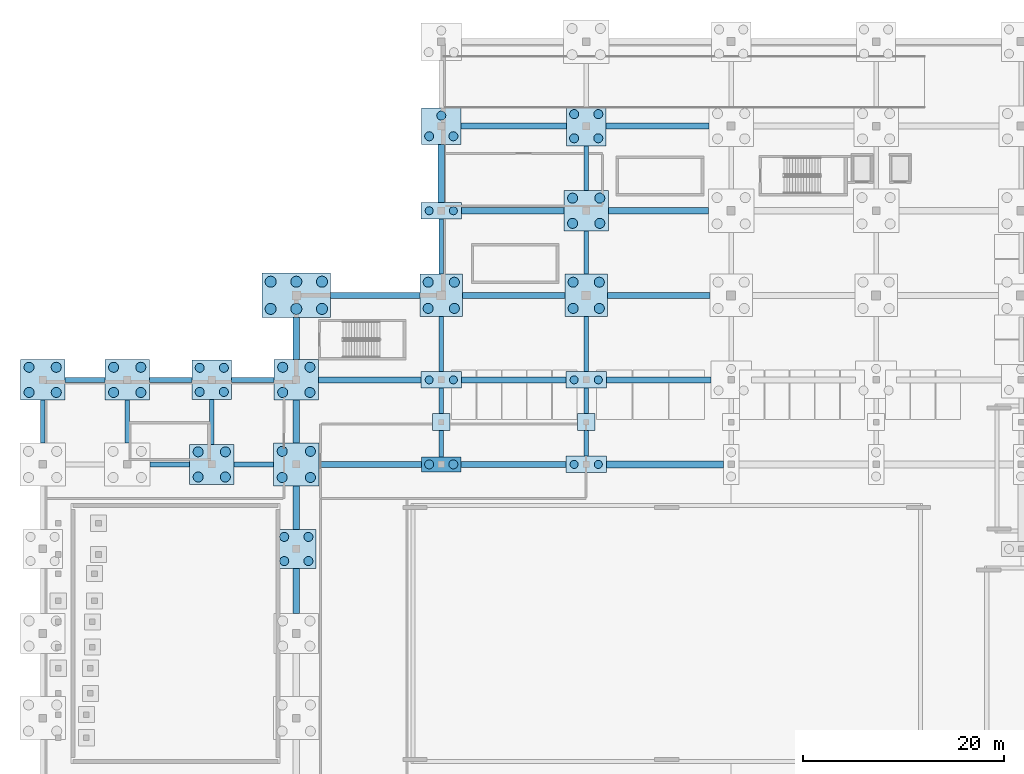
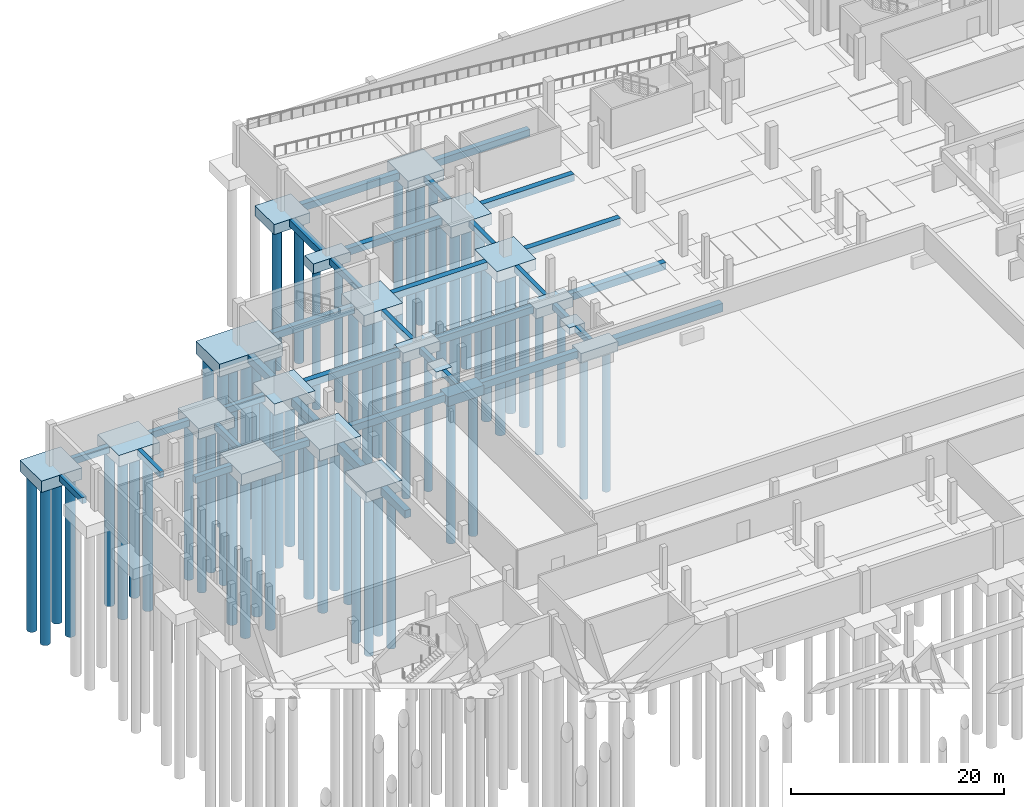
# One storey, part 4 of 26: 63 piles, 55 footings.
"""IFC4 building model written with IfcOpenShell, lengths in metres."""

from ifc_helpers import new_model, si_unit, direction, frame, origin, origin_2d, place, context, subcontext, project, spatial, rectangle, circle, extrude, material, material_profile, profile_set, type_object, element, save


model = new_model("IFC4")

# Units and contexts
model_context = context("Model", 3, precision=1e-05, world=origin(), true_north=direction((0.0, 1.0)))
body_context = subcontext(model_context, "Body", "Model", "MODEL_VIEW")
ifc_project = project(units=[si_unit("LENGTHUNIT", "METRE"), si_unit("AREAUNIT", "SQUARE_METRE"), si_unit("VOLUMEUNIT", "CUBIC_METRE"), si_unit("PLANEANGLEUNIT", "RADIAN"), si_unit("MASSUNIT", "GRAM", prefix="KILO"), si_unit("THERMODYNAMICTEMPERATUREUNIT", "KELVIN")], contexts=[model_context])

# Site, building, storey
site_placement = place(None, origin())
site = spatial("IfcSite", under=ifc_project, at=site_placement, CompositionType="ELEMENT")
building_placement = place(site_placement, origin())
building = spatial("IfcBuilding", under=site, at=building_placement, Name="Nduvali Passage Aquatics Centre", CompositionType="ELEMENT")
storey_placement = place(building_placement, frame((0.0, 0.0, -4.800048828125)))
storey = spatial("IfcBuildingStorey", under=building, at=storey_placement, Name="B01", CompositionType="ELEMENT", Elevation=-4.800048828125)

# Footings
ifc_material = material(Name="Concrete C40/50", Category="concrete")
footing_type_1 = type_object("IfcFootingType", Name="STR-GB-1", PredefinedType="FOOTING_BEAM", material=ifc_material)
footing_1_placement = place(storey_placement, frame((32.550048828125, 75.60009765625, -0.7998046875), z_axis=(0.0, 0.0, 1.0), x_axis=(1.0, 0.0, 0.0)))
element("IfcFooting", 1, at=footing_1_placement, inside=storey, type_object=footing_type_1, Name="Ground Beam X-0085", PredefinedType="FOOTING_BEAM", context=body_context, shape_type="SweptSolid", body=[
    extrude(rectangle(XDim=10.199951171875, YDim=0.60009765625, at=origin_2d()), origin(), (0.0, 0.0, 1.0), 0.800048828125),
])
footing_2_placement = place(storey_placement, frame((46.77490234375, 75.60009765625, -0.7998046875), z_axis=(0.0, 0.0, 1.0), x_axis=(1.0, 0.0, 0.0)))
element("IfcFooting", 2, at=footing_2_placement, inside=storey, type_object=footing_type_1, Name="Ground Beam X-0086", PredefinedType="FOOTING_BEAM", context=body_context, shape_type="SweptSolid", body=[
    extrude(rectangle(XDim=10.449951171875, YDim=0.60009765625, at=origin_2d()), origin(), (0.0, 0.0, 1.0), 0.800048828125),
])
footing_3_placement = place(storey_placement, frame((32.5, 84.0, -0.7998046875), z_axis=(0.0, 0.0, 1.0), x_axis=(1.0, 0.0, 0.0)))
element("IfcFooting", 3, at=footing_3_placement, inside=storey, type_object=footing_type_1, Name="Ground Beam X-0101", PredefinedType="FOOTING_BEAM", context=body_context, shape_type="SweptSolid", body=[
    extrude(rectangle(XDim=10.199951171875, YDim=0.60009765625, at=origin_2d()), origin(), (0.0, 0.0, 1.0), 0.800048828125),
])
footing_4_placement = place(storey_placement, frame((46.800048828125, 84.0, -0.7998046875), z_axis=(0.0, 0.0, 1.0), x_axis=(1.0, 0.0, 0.0)))
element("IfcFooting", 4, at=footing_4_placement, inside=storey, type_object=footing_type_1, Name="Ground Beam X-0102", PredefinedType="FOOTING_BEAM", context=body_context, shape_type="SweptSolid", body=[
    extrude(rectangle(XDim=10.39990234375, YDim=0.60009765625, at=origin_2d()), origin(), (0.0, 0.0, 1.0), 0.800048828125),
])
footing_5_placement = place(storey_placement, frame((61.1875, 84.0, -0.7998046875), z_axis=(0.0, 0.0, 1.0), x_axis=(1.0, 0.0, 0.0)))
element("IfcFooting", 5, at=footing_5_placement, inside=storey, type_object=footing_type_1, Name="Ground Beam X-0103", PredefinedType="FOOTING_BEAM", context=body_context, shape_type="SweptSolid", body=[
    extrude(rectangle(XDim=10.375, YDim=0.60009765625, at=origin_2d()), origin(), (0.0, 0.0, 1.0), 0.800048828125),
])
footing_6_placement = place(storey_placement, frame((33.050048828125, 92.39990234375, -0.7998046875), z_axis=(0.0, 0.0, 1.0), x_axis=(1.0, 0.0, 0.0)))
element("IfcFooting", 6, at=footing_6_placement, inside=storey, type_object=footing_type_1, Name="Ground Beam X-0114", PredefinedType="FOOTING_BEAM", context=body_context, shape_type="SweptSolid", body=[
    extrude(rectangle(XDim=8.89990234375, YDim=0.60009765625, at=origin_2d()), origin(), (0.0, 0.0, 1.0), 0.800048828125),
])
for number, where, z_axis, x_axis, name in (
    (7, (46.800048828125, 92.39990234375, -0.7998046875), (0.0, 0.0, 1.0), (1.0, 0.0, 0.0), "Ground Beam X-0115"),
    (8, (61.199951171875, 92.39990234375, -0.7998046875), (0.0, 0.0, 1.0), (1.0, 0.0, 0.0), "Ground Beam X-0116"),
    (9, (46.699951171875, 100.800048828125, -0.7998046875), (0.0, 0.0, 1.0), (1.0, 0.0, 0.0), "Ground Beam X-0126"),
):
    element("IfcFooting", number, at=place(storey_placement, frame(where, z_axis=z_axis, x_axis=x_axis)), inside=storey, type_object=footing_type_1, Name=name, PredefinedType="FOOTING_BEAM", context=body_context, shape_type="SweptSolid", body=[
        extrude(rectangle(XDim=10.199951171875, YDim=0.60009765625, at=origin_2d()), origin(), (0.0, 0.0, 1.0), 0.800048828125),
    ])
footing_7_placement = place(storey_placement, frame((61.175048828125, 100.800048828125, -0.7998046875), z_axis=(0.0, 0.0, 1.0), x_axis=(1.0, 0.0, 0.0)))
element("IfcFooting", 10, at=footing_7_placement, inside=storey, type_object=footing_type_1, Name="Ground Beam X-0127", PredefinedType="FOOTING_BEAM", context=body_context, shape_type="SweptSolid", body=[
    extrude(rectangle(XDim=9.949951171875, YDim=0.60009765625, at=origin_2d()), origin(), (0.0, 0.0, 1.0), 0.800048828125),
])
footing_8_placement = place(storey_placement, frame((46.800048828125, 109.199951171875, -0.7998046875), z_axis=(0.0, 0.0, 1.0), x_axis=(1.0, 0.0, 0.0)))
element("IfcFooting", 11, at=footing_8_placement, inside=storey, type_object=footing_type_1, Name="Ground Beam X-0133", PredefinedType="FOOTING_BEAM", context=body_context, shape_type="SweptSolid", body=[
    extrude(rectangle(XDim=10.5, YDim=0.60009765625, at=origin_2d()), origin(), (0.0, 0.0, 1.0), 0.800048828125),
])
footing_9_placement = place(storey_placement, frame((61.074951171875, 109.199951171875, -0.7998046875), z_axis=(0.0, 0.0, 1.0), x_axis=(1.0, 0.0, 0.0)))
element("IfcFooting", 12, at=footing_9_placement, inside=storey, type_object=footing_type_1, Name="Ground Beam X-0134", PredefinedType="FOOTING_BEAM", context=body_context, shape_type="SweptSolid", body=[
    extrude(rectangle(XDim=10.25, YDim=0.60009765625, at=origin_2d()), origin(), (0.0, 0.0, 1.0), 0.800048828125),
])
footing_10_placement = place(storey_placement, frame((39.60009765625, 104.512451171875, -0.7998046875), z_axis=(0.0, 0.0, 1.0), x_axis=(0.0, 1.0, 0.0)))
element("IfcFooting", 13, at=footing_10_placement, inside=storey, type_object=footing_type_1, Name="Ground Beam Y-0175", PredefinedType="FOOTING_BEAM", context=body_context, shape_type="SweptSolid", body=[
    extrude(rectangle(XDim=5.77490234375, YDim=0.60009765625, at=origin_2d()), origin(), (0.0, 0.0, 1.0), 0.800048828125),
])
footing_type_2 = type_object("IfcFootingType", Name="STR-GB-2", PredefinedType="FOOTING_BEAM", material=ifc_material)
for number, where, z_axis, x_axis, name in (
    (14, (12.625, 75.60009765625, -0.75), (0.0, 0.0, 1.0), (1.0, 0.0, 0.0), "Ground Beam X-0083"),
    (15, (20.97509765625, 75.60009765625, -0.75), (0.0, 0.0, 1.0), (1.0, 0.0, 0.0), "Ground Beam X-0084"),
):
    element("IfcFooting", number, at=place(storey_placement, frame(where, z_axis=z_axis, x_axis=x_axis)), inside=storey, type_object=footing_type_2, Name=name, PredefinedType="FOOTING_BEAM", context=body_context, shape_type="SweptSolid", body=[
        extrude(rectangle(XDim=3.949951171875, YDim=0.5, at=origin_2d()), origin(), (0.0, 0.0, 1.0), 0.75),
    ])
footing_11_placement = place(storey_placement, frame((4.199951171875, 84.0, -0.75), z_axis=(0.0, 0.0, 1.0), x_axis=(1.0, 0.0, 0.0)))
element("IfcFooting", 16, at=footing_11_placement, inside=storey, type_object=footing_type_2, Name="Ground Beam X-0098", PredefinedType="FOOTING_BEAM", context=body_context, shape_type="SweptSolid", body=[
    extrude(rectangle(XDim=4.0, YDim=0.5, at=origin_2d()), origin(), (0.0, 0.0, 1.0), 0.75),
])
for number, where, z_axis, x_axis, name in (
    (17, (12.72509765625, 84.0, -0.75), (0.0, 0.0, 1.0), (1.0, 0.0, 0.0), "Ground Beam X-0099"),
    (18, (20.875, 84.0, -0.75), (0.0, 0.0, 1.0), (1.0, 0.0, 0.0), "Ground Beam X-0100"),
):
    element("IfcFooting", number, at=place(storey_placement, frame(where, z_axis=z_axis, x_axis=x_axis)), inside=storey, type_object=footing_type_2, Name=name, PredefinedType="FOOTING_BEAM", context=body_context, shape_type="SweptSolid", body=[
        extrude(rectangle(XDim=4.25, YDim=0.5, at=origin_2d()), origin(), (0.0, 0.0, 1.0), 0.75),
    ])
footing_type_3 = type_object("IfcFootingType", Name="STR-GB-3", PredefinedType="FOOTING_BEAM", material=ifc_material)
footing_12_placement = place(storey_placement, frame((25.199951171875, 63.02490234375, -0.89990234375), z_axis=(0.0, 0.0, 1.0), x_axis=(0.0, 1.0, 0.0)))
element("IfcFooting", 19, at=footing_12_placement, inside=storey, type_object=footing_type_3, Name="Ground Beam Y-0161", PredefinedType="FOOTING_BEAM", context=body_context, shape_type="SweptSolid", body=[
    extrude(rectangle(XDim=4.449951171875, YDim=0.64990234375, at=origin_2d()), origin(), (0.0, 0.0, 1.0), 0.89990234375),
])
footing_13_placement = place(storey_placement, frame((25.199951171875, 71.300048828125, -0.89990234375), z_axis=(0.0, 0.0, 1.0), x_axis=(0.0, 1.0, 0.0)))
element("IfcFooting", 20, at=footing_13_placement, inside=storey, type_object=footing_type_3, Name="Ground Beam Y-0162", PredefinedType="FOOTING_BEAM", context=body_context, shape_type="SweptSolid", body=[
    extrude(rectangle(XDim=4.300048828125, YDim=0.64990234375, at=origin_2d()), origin(), (0.0, 0.0, 1.0), 0.89990234375),
])
footing_14_placement = place(storey_placement, frame((25.199951171875, 79.875, -0.89990234375), z_axis=(0.0, 0.0, 1.0), x_axis=(0.0, 1.0, 0.0)))
element("IfcFooting", 21, at=footing_14_placement, inside=storey, type_object=footing_type_3, Name="Ground Beam Y-0163", PredefinedType="FOOTING_BEAM", context=body_context, shape_type="SweptSolid", body=[
    extrude(rectangle(XDim=4.25, YDim=0.64990234375, at=origin_2d()), origin(), (0.0, 0.0, 1.0), 0.89990234375),
])
footing_15_placement = place(storey_placement, frame((25.199951171875, 88.10009765625, -0.89990234375), z_axis=(0.0, 0.0, 1.0), x_axis=(0.0, 1.0, 0.0)))
element("IfcFooting", 22, at=footing_15_placement, inside=storey, type_object=footing_type_3, Name="Ground Beam Y-0164", PredefinedType="FOOTING_BEAM", context=body_context, shape_type="SweptSolid", body=[
    extrude(rectangle(XDim=4.199951171875, YDim=0.64990234375, at=origin_2d()), origin(), (0.0, 0.0, 1.0), 0.89990234375),
])
footing_type_4 = type_object("IfcFootingType", Name="STR-GB-5", PredefinedType="FOOTING_BEAM", material=ifc_material)
footing_16_placement = place(storey_placement, frame((61.8125, 75.60009765625, -0.94970703125), z_axis=(0.0, 0.0, 1.0), x_axis=(1.0, 0.0, 0.0)))
element("IfcFooting", 23, at=footing_16_placement, inside=storey, type_object=footing_type_4, Name="Ground Beam X-0087", PredefinedType="FOOTING_BEAM", context=body_context, shape_type="SweptSolid", body=[
    extrude(rectangle(XDim=11.625, YDim=0.699951171875, at=origin_2d()), origin(), (0.0, 0.0, 1.0), 0.949951171875),
])
footing_type_5 = type_object("IfcFootingType", Name="STR-GB-6", PredefinedType="FOOTING_BEAM", material=ifc_material)
for number, where, z_axis, x_axis, name in (
    (24, (0.0, 79.875, -0.69970703125), (0.0, 0.0, 1.0), (0.0, 1.0, 0.0), "Ground Beam Y-0152"),
    (25, (8.39990234375, 79.875, -0.69970703125), (0.0, 0.0, 1.0), (0.0, 1.0, 0.0), "Ground Beam Y-0154"),
):
    element("IfcFooting", number, at=place(storey_placement, frame(where, z_axis=z_axis, x_axis=x_axis)), inside=storey, type_object=footing_type_5, Name=name, PredefinedType="FOOTING_BEAM", context=body_context, shape_type="SweptSolid", body=[
        extrude(rectangle(XDim=4.25, YDim=0.449951171875, at=origin_2d()), origin(), (0.0, 0.0, 1.0), 0.699951171875),
    ])
footing_17_placement = place(storey_placement, frame((16.800048828125, 79.824951171875, -0.69970703125), z_axis=(0.0, 0.0, 1.0), x_axis=(0.0, 1.0, 0.0)))
element("IfcFooting", 26, at=footing_17_placement, inside=storey, type_object=footing_type_5, Name="Ground Beam Y-0156", PredefinedType="FOOTING_BEAM", context=body_context, shape_type="SweptSolid", body=[
    extrude(rectangle(XDim=4.449951171875, YDim=0.449951171875, at=origin_2d()), origin(), (0.0, 0.0, 1.0), 0.699951171875),
])
footing_18_placement = place(storey_placement, frame((39.60009765625, 77.64990234375, -0.69970703125), z_axis=(0.0, 0.0, 1.0), x_axis=(0.0, 1.0, 0.0)))
element("IfcFooting", 27, at=footing_18_placement, inside=storey, type_object=footing_type_5, Name="Ground Beam Y-0171", PredefinedType="FOOTING_BEAM", context=body_context, shape_type="SweptSolid", body=[
    extrude(rectangle(XDim=2.60009765625, YDim=0.449951171875, at=origin_2d()), origin(), (0.0, 0.0, 1.0), 0.699951171875),
])
footing_19_placement = place(storey_placement, frame((39.60009765625, 81.91259765625, -0.69970703125), z_axis=(0.0, 0.0, 1.0), x_axis=(0.0, 1.0, 0.0)))
element("IfcFooting", 28, at=footing_19_placement, inside=storey, type_object=footing_type_5, Name="Ground Beam Y-0172", PredefinedType="FOOTING_BEAM", context=body_context, shape_type="SweptSolid", body=[
    extrude(rectangle(XDim=2.52490234375, YDim=0.449951171875, at=origin_2d()), origin(), (0.0, 0.0, 1.0), 0.699951171875),
])
for number, where, z_axis, x_axis, name in (
    (29, (39.60009765625, 87.5625, -0.69970703125), (0.0, 0.0, 1.0), (0.0, 1.0, 0.0), "Ground Beam Y-0173"),
    (30, (39.60009765625, 97.237548828125, -0.69970703125), (0.0, 0.0, 1.0), (0.0, 1.0, 0.0), "Ground Beam Y-0174"),
):
    element("IfcFooting", number, at=place(storey_placement, frame(where, z_axis=z_axis, x_axis=x_axis)), inside=storey, type_object=footing_type_5, Name=name, PredefinedType="FOOTING_BEAM", context=body_context, shape_type="SweptSolid", body=[
        extrude(rectangle(XDim=5.47509765625, YDim=0.449951171875, at=origin_2d()), origin(), (0.0, 0.0, 1.0), 0.699951171875),
    ])
for number, where, z_axis, x_axis, name in (
    (31, (54.0, 77.6875, -0.69970703125), (0.0, 0.0, 1.0), (0.0, 1.0, 0.0), "Ground Beam Y-0183"),
    (32, (54.0, 81.91259765625, -0.69970703125), (0.0, 0.0, 1.0), (0.0, 1.0, 0.0), "Ground Beam Y-0184"),
):
    element("IfcFooting", number, at=place(storey_placement, frame(where, z_axis=z_axis, x_axis=x_axis)), inside=storey, type_object=footing_type_5, Name=name, PredefinedType="FOOTING_BEAM", context=body_context, shape_type="SweptSolid", body=[
        extrude(rectangle(XDim=2.52490234375, YDim=0.449951171875, at=origin_2d()), origin(), (0.0, 0.0, 1.0), 0.699951171875),
    ])
footing_20_placement = place(storey_placement, frame((54.0, 87.5625, -0.69970703125), z_axis=(0.0, 0.0, 1.0), x_axis=(0.0, 1.0, 0.0)))
element("IfcFooting", 33, at=footing_20_placement, inside=storey, type_object=footing_type_5, Name="Ground Beam Y-0185", PredefinedType="FOOTING_BEAM", context=body_context, shape_type="SweptSolid", body=[
    extrude(rectangle(XDim=5.47509765625, YDim=0.449951171875, at=origin_2d()), origin(), (0.0, 0.0, 1.0), 0.699951171875),
])
footing_21_placement = place(storey_placement, frame((54.0, 96.64990234375, -0.69970703125), z_axis=(0.0, 0.0, 1.0), x_axis=(0.0, 1.0, 0.0)))
element("IfcFooting", 34, at=footing_21_placement, inside=storey, type_object=footing_type_5, Name="Ground Beam Y-0186", PredefinedType="FOOTING_BEAM", context=body_context, shape_type="SweptSolid", body=[
    extrude(rectangle(XDim=4.300048828125, YDim=0.449951171875, at=origin_2d()), origin(), (0.0, 0.0, 1.0), 0.699951171875),
])
footing_22_placement = place(storey_placement, frame((54.0, 105.02490234375, -0.69970703125), z_axis=(0.0, 0.0, 1.0), x_axis=(0.0, 1.0, 0.0)))
element("IfcFooting", 35, at=footing_22_placement, inside=storey, type_object=footing_type_5, Name="Ground Beam Y-0187", PredefinedType="FOOTING_BEAM", context=body_context, shape_type="SweptSolid", body=[
    extrude(rectangle(XDim=4.449951171875, YDim=0.449951171875, at=origin_2d()), origin(), (0.0, 0.0, 1.0), 0.699951171875),
])
footing_type_6 = type_object("IfcFootingType", Name="STR-PC-2A", PredefinedType="PILE_CAP", material=ifc_material)
footing_23_placement = place(storey_placement, frame((39.60009765625, 75.60009765625, -1.10009765625), z_axis=(0.0, 0.0, 1.0), x_axis=(1.0, 0.0, 0.0)))
element("IfcFooting", 36, at=footing_23_placement, inside=storey, type_object=footing_type_6, Name="Pile Cap PC2A at (39.6, 75.6)", PredefinedType="PILE_CAP", context=body_context, shape_type="SweptSolid", body=[
    extrude(rectangle(XDim=3.89990234375, YDim=1.5, at=origin_2d()), origin(), (0.0, 0.0, 1.0), 1.10009765625),
])
footing_type_7 = type_object("IfcFootingType", Name="STR-PC-2D", PredefinedType="PILE_CAP", material=ifc_material)
for number, where, z_axis, x_axis, name in (
    (37, (39.60009765625, 84.0, -1.1201171875), (0.0, 0.0, 1.0), (1.0, 0.0, 0.0), "Pile Cap PC2D at (39.6, 84.0)"),
    (38, (39.60009765625, 100.800048828125, -1.1201171875), (0.0, 0.0, 1.0), (1.0, 0.0, 0.0), "Pile Cap PC2D at (39.6, 100.8)"),
    (39, (54.0, 75.60009765625, -1.1201171875), (0.0, 0.0, 1.0), (1.0, 0.0, 0.0), "Pile Cap PC2D at (54.0, 75.6)"),
    (40, (54.0, 84.0, -1.1201171875), (0.0, 0.0, 1.0), (1.0, 0.0, 0.0), "Pile Cap PC2D at (54.0, 84.0)"),
):
    element("IfcFooting", number, at=place(storey_placement, frame(where, z_axis=z_axis, x_axis=x_axis)), inside=storey, type_object=footing_type_7, Name=name, PredefinedType="PILE_CAP", context=body_context, shape_type="SweptSolid", body=[
        extrude(rectangle(XDim=4.0, YDim=1.64990234375, at=origin_2d()), origin(), (0.0, 0.0, 1.0), 1.1201171875),
    ])
footing_type_8 = type_object("IfcFootingType", Name="STR-PC-3A", PredefinedType="PILE_CAP", material=ifc_material)
footing_24_placement = place(storey_placement, frame((39.60009765625, 109.199951171875, -1.14990234375), z_axis=(0.0, 0.0, 1.0), x_axis=(1.0, 0.0, 0.0)))
element("IfcFooting", 41, at=footing_24_placement, inside=storey, type_object=footing_type_8, Name="Pile Cap PC3A at (39.6, 109.2)", PredefinedType="PILE_CAP", context=body_context, shape_type="SweptSolid", body=[
    extrude(rectangle(XDim=3.89990234375, YDim=3.60009765625, at=origin_2d()), origin(), (0.0, 0.0, 1.0), 1.14990234375),
])
footing_type_9 = type_object("IfcFootingType", Name="STR-PC-4A", PredefinedType="PILE_CAP", material=ifc_material)
for number, where, z_axis, x_axis, name in (
    (42, (16.800048828125, 84.0, -1.19970703125), (0.0, 0.0, 1.0), (1.0, 0.0, 0.0), "Pile Cap PC4A at (16.8, 84.0)"),
    (43, (25.199951171875, 67.199951171875, -1.19970703125), (0.0, 0.0, 1.0), (1.0, 0.0, 0.0), "Pile Cap PC4A at (25.2, 67.2)"),
    (44, (54.0, 109.199951171875, -1.19970703125), (0.0, 0.0, 1.0), (1.0, 0.0, 0.0), "Pile Cap PC4A at (54.0, 109.2)"),
):
    element("IfcFooting", number, at=place(storey_placement, frame(where, z_axis=z_axis, x_axis=x_axis)), inside=storey, type_object=footing_type_9, Name=name, PredefinedType="PILE_CAP", context=body_context, shape_type="SweptSolid", body=[
        extrude(rectangle(XDim=3.89990234375, YDim=3.89990234375, at=origin_2d()), origin(), (0.0, 0.0, 1.0), 1.199951171875),
    ])
footing_type_10 = type_object("IfcFootingType", Name="STR-PC-4B", PredefinedType="PILE_CAP", material=ifc_material)
for number, where, z_axis, x_axis, name in (
    (45, (39.60009765625, 92.39990234375, -1.25), (0.0, 0.0, 1.0), (1.0, 0.0, 0.0), "Pile Cap PC4B at (39.6, 92.4)"),
    (46, (54.0, 92.39990234375, -1.25), (0.0, 0.0, 1.0), (1.0, 0.0, 0.0), "Pile Cap PC4B at (54.0, 92.4)"),
):
    element("IfcFooting", number, at=place(storey_placement, frame(where, z_axis=z_axis, x_axis=x_axis)), inside=storey, type_object=footing_type_10, Name=name, PredefinedType="PILE_CAP", context=body_context, shape_type="SweptSolid", body=[
        extrude(rectangle(XDim=4.199951171875, YDim=4.199951171875, at=origin_2d()), origin(), (0.0, 0.0, 1.0), 1.25),
    ])
footing_type_11 = type_object("IfcFootingType", Name="STR-PC-4C", PredefinedType="PILE_CAP", material=ifc_material)
for number, where, z_axis, x_axis, name in (
    (47, (0.0, 84.0, -1.2998046875), (0.0, 0.0, 1.0), (1.0, 0.0, 0.0), "Pile Cap PC4C at (0.0, 84.0)"),
    (48, (8.39990234375, 84.0, -1.2998046875), (0.0, 0.0, 1.0), (1.0, 0.0, 0.0), "Pile Cap PC4C at (8.4, 84.0)"),
    (49, (16.800048828125, 75.60009765625, -1.2998046875), (0.0, 0.0, 1.0), (1.0, 0.0, 0.0), "Pile Cap PC4C at (16.8, 75.6)"),
    (50, (25.199951171875, 84.0, -1.2998046875), (0.0, 0.0, 1.0), (1.0, 0.0, 0.0), "Pile Cap PC4C at (25.2, 84.0)"),
    (51, (54.0, 100.800048828125, -1.2998046875), (0.0, 0.0, 1.0), (1.0, 0.0, 0.0), "Pile Cap PC4C at (54.0, 100.8)"),
):
    element("IfcFooting", number, at=place(storey_placement, frame(where, z_axis=z_axis, x_axis=x_axis)), inside=storey, type_object=footing_type_11, Name=name, PredefinedType="PILE_CAP", context=body_context, shape_type="SweptSolid", body=[
        extrude(rectangle(XDim=4.39990234375, YDim=4.0, at=origin_2d()), origin(), (0.0, 0.0, 1.0), 1.300048828125),
    ])
footing_type_12 = type_object("IfcFootingType", Name="STR-PC-4D", PredefinedType="PILE_CAP", material=ifc_material)
footing_25_placement = place(storey_placement, frame((25.199951171875, 75.60009765625, -1.35009765625), z_axis=(0.0, 0.0, 1.0), x_axis=(1.0, 0.0, 0.0)))
element("IfcFooting", 52, at=footing_25_placement, inside=storey, type_object=footing_type_12, Name="Pile Cap PC4D at (25.2, 75.6)", PredefinedType="PILE_CAP", context=body_context, shape_type="SweptSolid", body=[
    extrude(rectangle(XDim=4.5, YDim=4.300048828125, at=origin_2d()), origin(), (0.0, 0.0, 1.0), 1.35009765625),
])
footing_type_13 = type_object("IfcFootingType", Name="STR-PC-6B", PredefinedType="PILE_CAP", material=ifc_material)
footing_26_placement = place(storey_placement, frame((25.199951171875, 92.39990234375, -1.44970703125), z_axis=(0.0, 0.0, 1.0), x_axis=(1.0, 0.0, 0.0)))
element("IfcFooting", 53, at=footing_26_placement, inside=storey, type_object=footing_type_13, Name="Pile Cap PC6B at (25.2, 92.4)", PredefinedType="PILE_CAP", context=body_context, shape_type="SweptSolid", body=[
    extrude(rectangle(XDim=6.800048828125, YDim=4.39990234375, at=origin_2d()), origin(), (0.0, 0.0, 1.0), 1.449951171875),
])
footing_type_14 = type_object("IfcFootingType", Name="STR-PF-8", PredefinedType="PAD_FOOTING", material=ifc_material)
for number, where, z_axis, x_axis, name in (
    (54, (39.60009765625, 79.800048828125, -0.7998046875), (0.0, 0.0, 1.0), (1.0, 0.0, 0.0), "Pad Footing PF8 at (39.6, 79.8)"),
    (55, (54.0, 79.800048828125, -0.7998046875), (0.0, 0.0, 1.0), (1.0, 0.0, 0.0), "Pad Footing PF8 at (54.0, 79.8)"),
):
    element("IfcFooting", number, at=place(storey_placement, frame(where, z_axis=z_axis, x_axis=x_axis)), inside=storey, type_object=footing_type_14, Name=name, PredefinedType="PAD_FOOTING", context=body_context, shape_type="SweptSolid", body=[
        extrude(rectangle(XDim=1.699951171875, YDim=1.699951171875, at=origin_2d()), origin(), (0.0, 0.0, 1.0), 0.800048828125),
    ])

# Piles
ifc_material_profile_1 = material_profile(ifc_material, circle(Radius=0.5, at=origin_2d()), Name="PILE D1000")
ifc_profile_set_1 = profile_set([ifc_material_profile_1], Name="Concrete C40/50")
pile_type_1 = type_object("IfcPileType", Name="STR-PILE-D1000", PredefinedType="BORED", material=ifc_profile_set_1)
for number, where, z_axis, x_axis, name in (
    (56, (-1.35009765625, 82.75, -1.199951171875), (0.0, 0.0, -1.0), (1.0, 0.0, 0.0), "Bored Pile 006-1"),
    (57, (1.35009765625, 82.75, -1.199951171875), (0.0, 0.0, -1.0), (1.0, 0.0, 0.0), "Bored Pile 006-2"),
    (58, (-1.35009765625, 85.25, -1.199951171875), (0.0, 0.0, -1.0), (1.0, 0.0, 0.0), "Bored Pile 006-3"),
    (59, (1.35009765625, 85.25, -1.199951171875), (0.0, 0.0, -1.0), (1.0, 0.0, 0.0), "Bored Pile 006-4"),
    (60, (7.050048828125, 82.75, -1.199951171875), (0.0, 0.0, -1.0), (1.0, 0.0, 0.0), "Bored Pile 030-1"),
    (61, (9.75, 82.75, -1.199951171875), (0.0, 0.0, -1.0), (1.0, 0.0, 0.0), "Bored Pile 030-2"),
    (62, (7.050048828125, 85.25, -1.199951171875), (0.0, 0.0, -1.0), (1.0, 0.0, 0.0), "Bored Pile 030-3"),
    (63, (9.75, 85.25, -1.199951171875), (0.0, 0.0, -1.0), (1.0, 0.0, 0.0), "Bored Pile 030-4"),
    (64, (15.449951171875, 74.35009765625, -1.199951171875), (0.0, 0.0, -1.0), (1.0, 0.0, 0.0), "Bored Pile 033-1"),
    (65, (18.14990234375, 74.35009765625, -1.199951171875), (0.0, 0.0, -1.0), (1.0, 0.0, 0.0), "Bored Pile 033-2"),
    (66, (15.449951171875, 76.85009765625, -1.199951171875), (0.0, 0.0, -1.0), (1.0, 0.0, 0.0), "Bored Pile 033-3"),
    (67, (18.14990234375, 76.85009765625, -1.199951171875), (0.0, 0.0, -1.0), (1.0, 0.0, 0.0), "Bored Pile 033-4"),
):
    element("IfcPile", number, at=place(storey_placement, frame(where, z_axis=z_axis, x_axis=x_axis)), inside=storey, type_object=pile_type_1, Name=name, PredefinedType="BORED", context=body_context, shape_type="SweptSolid", body=[
        extrude(circle(Radius=0.5, at=origin_2d()), origin(), (0.0, 0.0, 1.0), 18.0),
    ])
for number, where, z_axis, x_axis, name in (
    (68, (23.800048828125, 74.300048828125, -1.25), (0.0, 0.0, -1.0), (1.0, 0.0, 0.0), "Bored Pile 041-1"),
    (69, (26.60009765625, 74.300048828125, -1.25), (0.0, 0.0, -1.0), (1.0, 0.0, 0.0), "Bored Pile 041-2"),
    (70, (23.800048828125, 76.89990234375, -1.25), (0.0, 0.0, -1.0), (1.0, 0.0, 0.0), "Bored Pile 041-3"),
    (71, (26.60009765625, 76.89990234375, -1.25), (0.0, 0.0, -1.0), (1.0, 0.0, 0.0), "Bored Pile 041-4"),
):
    element("IfcPile", number, at=place(storey_placement, frame(where, z_axis=z_axis, x_axis=x_axis)), inside=storey, type_object=pile_type_1, Name=name, PredefinedType="BORED", context=body_context, shape_type="SweptSolid", body=[
        extrude(circle(Radius=0.5, at=origin_2d()), origin(), (0.0, 0.0, 1.0), 17.949951171875),
    ])
for number, where, z_axis, x_axis, name in (
    (72, (23.85009765625, 82.75, -1.199951171875), (0.0, 0.0, -1.0), (1.0, 0.0, 0.0), "Bored Pile 042-1"),
    (73, (26.550048828125, 82.75, -1.199951171875), (0.0, 0.0, -1.0), (1.0, 0.0, 0.0), "Bored Pile 042-2"),
    (74, (23.85009765625, 85.25, -1.199951171875), (0.0, 0.0, -1.0), (1.0, 0.0, 0.0), "Bored Pile 042-3"),
    (75, (26.550048828125, 85.25, -1.199951171875), (0.0, 0.0, -1.0), (1.0, 0.0, 0.0), "Bored Pile 042-4"),
):
    element("IfcPile", number, at=place(storey_placement, frame(where, z_axis=z_axis, x_axis=x_axis)), inside=storey, type_object=pile_type_1, Name=name, PredefinedType="BORED", context=body_context, shape_type="SweptSolid", body=[
        extrude(circle(Radius=0.5, at=origin_2d()), origin(), (0.0, 0.0, 1.0), 18.0),
    ])
for number, where, z_axis, x_axis, name in (
    (76, (38.300048828125, 91.10009765625, -1.14990234375), (0.0, 0.0, -1.0), (1.0, 0.0, 0.0), "Bored Pile 054-1"),
    (77, (40.89990234375, 91.10009765625, -1.14990234375), (0.0, 0.0, -1.0), (1.0, 0.0, 0.0), "Bored Pile 054-2"),
    (78, (38.300048828125, 93.699951171875, -1.14990234375), (0.0, 0.0, -1.0), (1.0, 0.0, 0.0), "Bored Pile 054-3"),
    (79, (40.89990234375, 93.699951171875, -1.14990234375), (0.0, 0.0, -1.0), (1.0, 0.0, 0.0), "Bored Pile 054-4"),
    (80, (52.699951171875, 91.10009765625, -1.14990234375), (0.0, 0.0, -1.0), (1.0, 0.0, 0.0), "Bored Pile 068-1"),
    (81, (55.300048828125, 91.10009765625, -1.14990234375), (0.0, 0.0, -1.0), (1.0, 0.0, 0.0), "Bored Pile 068-2"),
    (82, (52.699951171875, 93.699951171875, -1.14990234375), (0.0, 0.0, -1.0), (1.0, 0.0, 0.0), "Bored Pile 068-3"),
    (83, (55.300048828125, 93.699951171875, -1.14990234375), (0.0, 0.0, -1.0), (1.0, 0.0, 0.0), "Bored Pile 068-4"),
):
    element("IfcPile", number, at=place(storey_placement, frame(where, z_axis=z_axis, x_axis=x_axis)), inside=storey, type_object=pile_type_1, Name=name, PredefinedType="BORED", context=body_context, shape_type="SweptSolid", body=[
        extrude(circle(Radius=0.5, at=origin_2d()), origin(), (0.0, 0.0, 1.0), 18.050048828125),
    ])
for number, where, z_axis, x_axis, name in (
    (84, (52.64990234375, 99.550048828125, -1.199951171875), (0.0, 0.0, -1.0), (1.0, 0.0, 0.0), "Bored Pile 069-1"),
    (85, (55.35009765625, 99.550048828125, -1.199951171875), (0.0, 0.0, -1.0), (1.0, 0.0, 0.0), "Bored Pile 069-2"),
    (86, (52.64990234375, 102.050048828125, -1.199951171875), (0.0, 0.0, -1.0), (1.0, 0.0, 0.0), "Bored Pile 069-3"),
    (87, (55.35009765625, 102.050048828125, -1.199951171875), (0.0, 0.0, -1.0), (1.0, 0.0, 0.0), "Bored Pile 069-4"),
):
    element("IfcPile", number, at=place(storey_placement, frame(where, z_axis=z_axis, x_axis=x_axis)), inside=storey, type_object=pile_type_1, Name=name, PredefinedType="BORED", context=body_context, shape_type="SweptSolid", body=[
        extrude(circle(Radius=0.5, at=origin_2d()), origin(), (0.0, 0.0, 1.0), 18.0),
    ])
ifc_material_profile_2 = material_profile(ifc_material, circle(Radius=0.550048828125, at=origin_2d()), Name="PILE D1100")
ifc_profile_set_2 = profile_set([ifc_material_profile_2], Name="Concrete C40/50")
pile_type_2 = type_object("IfcPileType", Name="STR-PILE-D1100", PredefinedType="BORED", material=ifc_profile_set_2)
for number, where, z_axis, x_axis, name in (
    (88, (22.64990234375, 91.050048828125, -1.349853515625), (0.0, 0.0, -1.0), (1.0, 0.0, 0.0), "Bored Pile 043-1"),
    (89, (25.199951171875, 91.050048828125, -1.349853515625), (0.0, 0.0, -1.0), (1.0, 0.0, 0.0), "Bored Pile 043-2"),
    (90, (27.75, 91.050048828125, -1.349853515625), (0.0, 0.0, -1.0), (1.0, 0.0, 0.0), "Bored Pile 043-3"),
    (91, (22.64990234375, 93.75, -1.349853515625), (0.0, 0.0, -1.0), (1.0, 0.0, 0.0), "Bored Pile 043-4"),
    (92, (25.199951171875, 93.75, -1.349853515625), (0.0, 0.0, -1.0), (1.0, 0.0, 0.0), "Bored Pile 043-5"),
    (93, (27.75, 93.75, -1.349853515625), (0.0, 0.0, -1.0), (1.0, 0.0, 0.0), "Bored Pile 043-6"),
):
    element("IfcPile", number, at=place(storey_placement, frame(where, z_axis=z_axis, x_axis=x_axis)), inside=storey, type_object=pile_type_2, Name=name, PredefinedType="BORED", context=body_context, shape_type="SweptSolid", body=[
        extrude(circle(Radius=0.550048828125, at=origin_2d()), origin(), (0.0, 0.0, 1.0), 17.85009765625),
    ])
ifc_material_profile_3 = material_profile(ifc_material, circle(Radius=0.39990234375, at=origin_2d()), Name="PILE D800")
ifc_profile_set_3 = profile_set([ifc_material_profile_3], Name="Concrete C40/50")
pile_type_3 = type_object("IfcPileType", Name="STR-PILE-D800", PredefinedType="BORED", material=ifc_profile_set_3)
for number, where, z_axis, x_axis, name in (
    (94, (38.39990234375, 84.0, -1.02001953125), (0.0, 0.0, -1.0), (1.0, 0.0, 0.0), "Bored Pile 053-1"),
    (95, (40.800048828125, 84.0, -1.02001953125), (0.0, 0.0, -1.0), (1.0, 0.0, 0.0), "Bored Pile 053-2"),
    (96, (38.39990234375, 100.800048828125, -1.02001953125), (0.0, 0.0, -1.0), (1.0, 0.0, 0.0), "Bored Pile 055-1"),
    (97, (40.800048828125, 100.800048828125, -1.02001953125), (0.0, 0.0, -1.0), (1.0, 0.0, 0.0), "Bored Pile 055-2"),
    (98, (52.800048828125, 75.60009765625, -1.02001953125), (0.0, 0.0, -1.0), (1.0, 0.0, 0.0), "Bored Pile 065-1"),
    (99, (55.199951171875, 75.60009765625, -1.02001953125), (0.0, 0.0, -1.0), (1.0, 0.0, 0.0), "Bored Pile 065-2"),
    (100, (52.800048828125, 84.0, -1.02001953125), (0.0, 0.0, -1.0), (1.0, 0.0, 0.0), "Bored Pile 067-1"),
    (101, (55.199951171875, 84.0, -1.02001953125), (0.0, 0.0, -1.0), (1.0, 0.0, 0.0), "Bored Pile 067-2"),
):
    element("IfcPile", number, at=place(storey_placement, frame(where, z_axis=z_axis, x_axis=x_axis)), inside=storey, type_object=pile_type_3, Name=name, PredefinedType="BORED", context=body_context, shape_type="SweptSolid", body=[
        extrude(circle(Radius=0.39990234375, at=origin_2d()), origin(), (0.0, 0.0, 1.0), 16.179931640625),
    ])
ifc_material_profile_4 = material_profile(ifc_material, circle(Radius=0.449951171875, at=origin_2d()), Name="PILE D900")
ifc_profile_set_4 = profile_set([ifc_material_profile_4], Name="Concrete C40/50")
pile_type_4 = type_object("IfcPileType", Name="STR-PILE-D900", PredefinedType="BORED", material=ifc_profile_set_4)
for number, where, z_axis, x_axis, name in (
    (102, (15.60009765625, 82.800048828125, -1.099853515625), (0.0, 0.0, -1.0), (1.0, 0.0, 0.0), "Bored Pile 034-1"),
    (103, (18.0, 82.800048828125, -1.099853515625), (0.0, 0.0, -1.0), (1.0, 0.0, 0.0), "Bored Pile 034-2"),
    (104, (15.60009765625, 85.199951171875, -1.099853515625), (0.0, 0.0, -1.0), (1.0, 0.0, 0.0), "Bored Pile 034-3"),
    (105, (18.0, 85.199951171875, -1.099853515625), (0.0, 0.0, -1.0), (1.0, 0.0, 0.0), "Bored Pile 034-4"),
    (106, (24.0, 66.0, -1.099853515625), (0.0, 0.0, -1.0), (1.0, 0.0, 0.0), "Bored Pile 040-1"),
    (107, (26.39990234375, 66.0, -1.099853515625), (0.0, 0.0, -1.0), (1.0, 0.0, 0.0), "Bored Pile 040-2"),
    (108, (24.0, 68.39990234375, -1.099853515625), (0.0, 0.0, -1.0), (1.0, 0.0, 0.0), "Bored Pile 040-3"),
    (109, (26.39990234375, 68.39990234375, -1.099853515625), (0.0, 0.0, -1.0), (1.0, 0.0, 0.0), "Bored Pile 040-4"),
):
    element("IfcPile", number, at=place(storey_placement, frame(where, z_axis=z_axis, x_axis=x_axis)), inside=storey, type_object=pile_type_4, Name=name, PredefinedType="BORED", context=body_context, shape_type="SweptSolid", body=[
        extrude(circle(Radius=0.449951171875, at=origin_2d()), origin(), (0.0, 0.0, 1.0), 18.10009765625),
    ])
for number, where, z_axis, x_axis, name in (
    (110, (38.39990234375, 75.60009765625, -1.0), (0.0, 0.0, -1.0), (1.0, 0.0, 0.0), "Bored Pile 051-1"),
    (111, (40.800048828125, 75.60009765625, -1.0), (0.0, 0.0, -1.0), (1.0, 0.0, 0.0), "Bored Pile 051-2"),
):
    element("IfcPile", number, at=place(storey_placement, frame(where, z_axis=z_axis, x_axis=x_axis)), inside=storey, type_object=pile_type_4, Name=name, PredefinedType="BORED", context=body_context, shape_type="SweptSolid", body=[
        extrude(circle(Radius=0.449951171875, at=origin_2d()), origin(), (0.0, 0.0, 1.0), 16.199951171875),
    ])
for number, where, z_axis, x_axis, name in (
    (112, (38.39990234375, 108.199951171875, -1.050048828125), (0.0, 0.0, -1.0), (1.0, 0.0, 0.0), "Bored Pile 056-1"),
    (113, (40.800048828125, 108.199951171875, -1.050048828125), (0.0, 0.0, -1.0), (1.0, 0.0, 0.0), "Bored Pile 056-2"),
    (114, (39.60009765625, 110.25, -1.050048828125), (0.0, 0.0, -1.0), (1.0, 0.0, 0.0), "Bored Pile 056-3"),
):
    element("IfcPile", number, at=place(storey_placement, frame(where, z_axis=z_axis, x_axis=x_axis)), inside=storey, type_object=pile_type_4, Name=name, PredefinedType="BORED", context=body_context, shape_type="SweptSolid", body=[
        extrude(circle(Radius=0.449951171875, at=origin_2d()), origin(), (0.0, 0.0, 1.0), 16.14990234375),
    ])
for number, where, z_axis, x_axis, name in (
    (115, (52.800048828125, 108.0, -1.099853515625), (0.0, 0.0, -1.0), (1.0, 0.0, 0.0), "Bored Pile 070-1"),
    (116, (55.199951171875, 108.0, -1.099853515625), (0.0, 0.0, -1.0), (1.0, 0.0, 0.0), "Bored Pile 070-2"),
    (117, (52.800048828125, 110.39990234375, -1.099853515625), (0.0, 0.0, -1.0), (1.0, 0.0, 0.0), "Bored Pile 070-3"),
    (118, (55.199951171875, 110.39990234375, -1.099853515625), (0.0, 0.0, -1.0), (1.0, 0.0, 0.0), "Bored Pile 070-4"),
):
    element("IfcPile", number, at=place(storey_placement, frame(where, z_axis=z_axis, x_axis=x_axis)), inside=storey, type_object=pile_type_4, Name=name, PredefinedType="BORED", context=body_context, shape_type="SweptSolid", body=[
        extrude(circle(Radius=0.449951171875, at=origin_2d()), origin(), (0.0, 0.0, 1.0), 18.10009765625),
    ])

save(model, "model.ifc")
